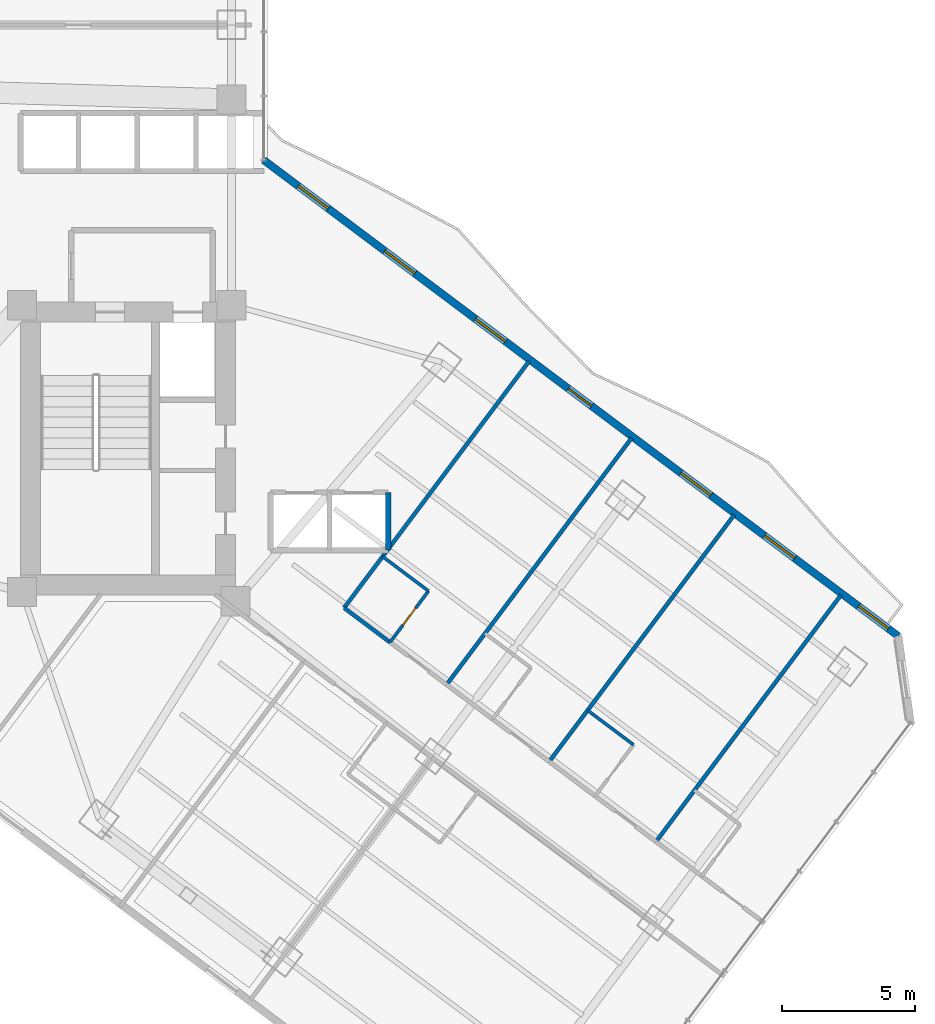
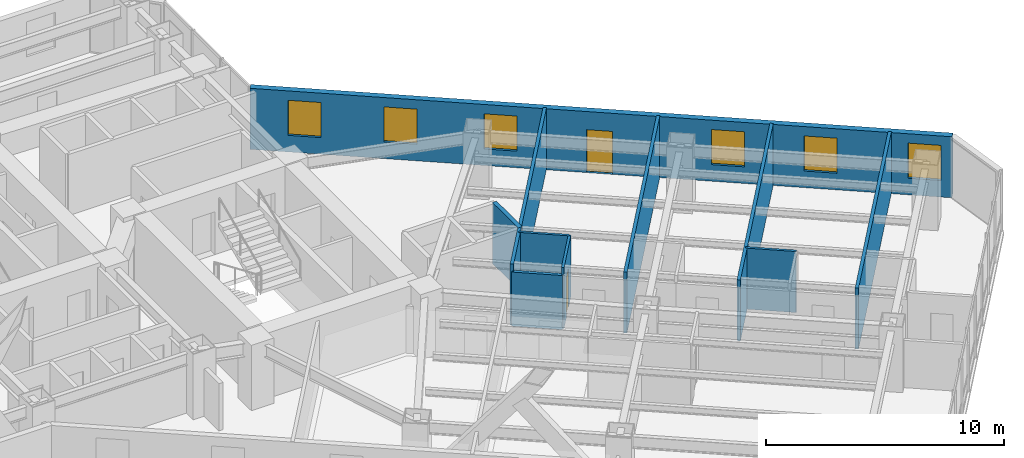
# One storey, part 25 of 33: 10 walls, 6 windows, 2 doors, 8 openings.
"""IFC4 building model written with IfcOpenShell, lengths in metres."""

import ifcopenshell
import ifcopenshell.guid

model = None  # the IFC model being written
_history = None  # IfcOwnerHistory: only IFC2X3 demands one
_inside = {}  # id of a spatial element -> (the spatial element, [elements in it])
_under = {}  # id of a project, library or spatial element -> (it, [spatial elements below it])
_declared = {}  # id of a project -> (the project, [libraries it declares])
_typed = {}  # id of a type object -> (the type object, [elements of that type])
_made_of = {}  # id of a material, layer set ... -> (it, [elements and type objects made of it])


def new_model(schema):
    """Start an empty IFC model of exactly this schema.

    Asked for "IFC4X3", IfcOpenShell would pick the latest addendum, in which some entities
    have other attributes; the version numbers below select the first issue.
    IFC2X3 requires an IfcOwnerHistory on every rooted entity: one is made here for all.
    """
    global model, _history
    if schema == "IFC4X3":
        model = ifcopenshell.file(schema_version=(4, 3, 0, 0))
    else:
        model = ifcopenshell.file(schema=schema)
    _inside.clear()
    _under.clear()
    _declared.clear()
    _typed.clear()
    _made_of.clear()
    _history = None
    if model.schema == "IFC2X3":
        org = make("IfcOrganization", Name="unknown")
        user = make(
            "IfcPersonAndOrganization",
            ThePerson=make("IfcPerson", FamilyName="unknown"),
            TheOrganization=org,
        )
        app = make(
            "IfcApplication",
            ApplicationDeveloper=org,
            Version="unknown",
            ApplicationFullName="unknown",
            ApplicationIdentifier="unknown",
        )
        _history = make(
            "IfcOwnerHistory",
            OwningUser=user,
            OwningApplication=app,
            ChangeAction="ADDED",
            CreationDate=0,
        )
    return model


def make(cls, **values):
    """One entity of the class cls with the attributes given. An attribute that is None is left unset."""
    return model.create_entity(
        cls, **{name: value for name, value in values.items() if value is not None}
    )


def rooted(cls, **values):
    """An entity with a GlobalId (a new one), such as an element, a storey or a relation."""
    return make(cls, GlobalId=ifcopenshell.guid.new(), OwnerHistory=_history, **values)


def si_unit(unit_type, name, prefix=None):
    """IfcSIUnit, for example si_unit("LENGTHUNIT", "METRE", prefix="MILLI")."""
    return make("IfcSIUnit", UnitType=unit_type, Prefix=prefix, Name=name)


def assignment(units):
    """IfcUnitAssignment: the units of a project."""
    return None if units is None else make("IfcUnitAssignment", Units=units)


def point(xyz):
    """IfcCartesianPoint."""
    return None if xyz is None else make("IfcCartesianPoint", Coordinates=xyz)


def direction(xyz):
    """IfcDirection."""
    return None if xyz is None else make("IfcDirection", DirectionRatios=xyz)


def frame(location, z_axis=None, x_axis=None):
    """IfcAxis2Placement3D, a coordinate frame: its origin and axes. An axis left out is left unset."""
    return make(
        "IfcAxis2Placement3D",
        Location=point(location),
        Axis=direction(z_axis),
        RefDirection=direction(x_axis),
    )


def frame_2d(location, x_axis=None):
    """IfcAxis2Placement2D, a coordinate frame in the plane: its origin and x axis."""
    return make(
        "IfcAxis2Placement2D", Location=point(location), RefDirection=direction(x_axis)
    )


def origin():
    """The frame at (0, 0, 0) with its axes left unset."""
    return frame((0.0, 0.0, 0.0))


def place(relative_to, where):
    """IfcLocalPlacement: puts the frame where relative to a parent placement (None: the world)."""
    return make(
        "IfcLocalPlacement", PlacementRelTo=relative_to, RelativePlacement=where
    )


def context(
    kind, dimensions, precision=None, world=None, true_north=None, identifier=None
):
    """IfcGeometricRepresentationContext, for example the 3D "Model" context."""
    return make(
        "IfcGeometricRepresentationContext",
        ContextIdentifier=identifier,
        ContextType=kind,
        CoordinateSpaceDimension=dimensions,
        Precision=precision,
        WorldCoordinateSystem=world,
        TrueNorth=true_north,
    )


def subcontext(parent, identifier, kind, view, scale=None):
    """IfcGeometricRepresentationSubContext, for example "Body" below "Model"."""
    return make(
        "IfcGeometricRepresentationSubContext",
        ContextIdentifier=identifier,
        ContextType=kind,
        ParentContext=parent,
        TargetScale=scale,
        TargetView=view,
    )


def project(units=None, contexts=None):
    """IfcProject with its units and contexts."""
    return rooted(
        "IfcProject",
        Name="project",
        RepresentationContexts=contexts,
        UnitsInContext=assignment(units),
    )


def spatial(cls, under=None, at=None, **own):
    """A site, building, storey or space (cls), placed at a placement, below another one or the project."""
    s = rooted(cls, ObjectPlacement=at, **own)
    if under is not None:
        _under.setdefault(under.id(), (under, []))[1].append(s)
    return s


def profile(cls, at=None, kind="AREA", **sizes):
    """A parametric profile (cls). Its sizes go by their IFC names, for example OverallWidth=200.0."""
    return make(cls, ProfileType=kind, Position=at, **sizes)


def rectangle(**sizes):
    """IfcRectangleProfileDef."""
    return profile("IfcRectangleProfileDef", **sizes)


def extrude(swept, where, along, depth):
    """IfcExtrudedAreaSolid: the profile swept, set in the frame where, extruded along a direction by depth."""
    return make(
        "IfcExtrudedAreaSolid",
        SweptArea=swept,
        Position=where,
        ExtrudedDirection=direction(along),
        Depth=depth,
    )


def shape(context_of_items, identifier, shape_type, items):
    """IfcShapeRepresentation: the items that make up one representation, for example the "Body"."""
    return make(
        "IfcShapeRepresentation",
        ContextOfItems=context_of_items,
        RepresentationIdentifier=identifier,
        RepresentationType=shape_type,
        Items=items,
    )


def material(Name=None, Category=None):
    """IfcMaterial."""
    return make("IfcMaterial", Name=Name, Category=Category)


def layer(
    of_material, thickness, ventilated=None, Name=None, Category=None, Priority=None
):
    """IfcMaterialLayer: one layer of a wall or slab, of a material (None: an air gap)."""
    return make(
        "IfcMaterialLayer",
        Material=of_material,
        LayerThickness=thickness,
        IsVentilated=ventilated,
        Name=Name,
        Category=Category,
        Priority=Priority,
    )


def layer_set(layers, Name=None):
    """IfcMaterialLayerSet."""
    return make("IfcMaterialLayerSet", MaterialLayers=layers, LayerSetName=Name)


def made_of(thing, what):
    """Note that an element or type object is made of a material, layer set ...; save() writes the relation."""
    if what is not None:
        _made_of.setdefault(what.id(), (what, []))[1].append(thing)
    return thing


def type_object(cls, material=None, **own):
    """A type object (cls), such as IfcWallType, which elements share."""
    return made_of(rooted(cls, **own), material)


def element(
    cls,
    number,
    at=None,
    inside=None,
    cuts=None,
    type_object=None,
    material=None,
    context=None,
    identifier="Body",
    shape_type=None,
    held_by="IfcProductDefinitionShape",
    body=None,
    shapes=None,
    **own,
):
    """One element of the class cls, such as IfcWall. Its Tag is "e" and its number.

    at: its placement. inside: the storey or other place that contains it. cuts: it is an
    opening in that element (IfcRelVoidsElement). A single representation is given by context,
    identifier, shape_type and body (its items); several are given by shapes. held_by: the class
    of the entity that holds the representations. save() writes the other relations.
    """
    e = rooted(cls, Tag="e%d" % number, ObjectPlacement=at, **own)
    if body is not None:
        shapes = [shape(context, identifier, shape_type, body)]
    if shapes is not None:
        e.Representation = make(held_by, Representations=shapes)
    if inside is not None:
        _inside.setdefault(inside.id(), (inside, []))[1].append(e)
    if cuts is not None:
        rooted(
            "IfcRelVoidsElement", RelatingBuildingElement=cuts, RelatedOpeningElement=e
        )
    if type_object is not None:
        _typed.setdefault(type_object.id(), (type_object, []))[1].append(e)
    return made_of(e, material)


def fill(opening, filler):
    """IfcRelFillsElement: the door or window that sits in an opening."""
    return rooted(
        "IfcRelFillsElement",
        RelatingOpeningElement=opening,
        RelatedBuildingElement=filler,
    )


def aggregate(whole, parts):
    """IfcRelAggregates: a whole, such as a stair, and the parts it consists of."""
    return rooted("IfcRelAggregates", RelatingObject=whole, RelatedObjects=parts)


def save(model, path):
    """Write the relations noted so far, then the file.

    IfcRelAggregates (storeys below a building ...), IfcRelContainedInSpatialStructure (elements
    in a storey), IfcRelDefinesByType, IfcRelAssociatesMaterial and IfcRelDeclares: one each for
    every whole, place, type object, material and project.
    """
    for whole, parts in _under.values():
        aggregate(whole, parts)
    for where, things in _inside.values():
        rooted(
            "IfcRelContainedInSpatialStructure",
            RelatedElements=things,
            RelatingStructure=where,
        )
    for kind, things in _typed.values():
        rooted("IfcRelDefinesByType", RelatedObjects=things, RelatingType=kind)
    for what, things in _made_of.values():
        rooted("IfcRelAssociatesMaterial", RelatedObjects=things, RelatingMaterial=what)
    for by, libraries in _declared.values():
        rooted("IfcRelDeclares", RelatingContext=by, RelatedDefinitions=libraries)
    model.write(path)


model = new_model("IFC4")

# Units and contexts
model_context = context("Model", 3, precision=1e-05, world=origin(), true_north=direction((0.0, 1.0)))
body_context = subcontext(model_context, "Body", "Model", "MODEL_VIEW")
ifc_project = project(units=[si_unit("LENGTHUNIT", "METRE"), si_unit("AREAUNIT", "SQUARE_METRE"), si_unit("VOLUMEUNIT", "CUBIC_METRE"), si_unit("PLANEANGLEUNIT", "RADIAN"), si_unit("MASSUNIT", "GRAM", prefix="KILO")], contexts=[model_context])

# Site, building, storey
site_placement = place(None, origin())
site = spatial("IfcSite", under=ifc_project, at=site_placement, CompositionType="ELEMENT")
building_placement = place(site_placement, origin())
building = spatial("IfcBuilding", under=site, at=building_placement, Name="Hatsunagi Terrace Concourse", CompositionType="ELEMENT")
storey_placement = place(building_placement, frame((0.0, 0.0, 43.300048828125)))
storey = spatial("IfcBuildingStorey", under=building, at=storey_placement, Name="L10", CompositionType="ELEMENT", Elevation=43.300048828125)

# Wall, opening, door
ifc_material_1 = material(Name="Acoustic mineral board", Category="gypsum")
ifc_layer_1 = layer(ifc_material_1, 0.1201171875)
ifc_layer_set_1 = layer_set([ifc_layer_1], Name="PartitionWall_EI30_120")
wall_type_1 = type_object("IfcWallType", Name="PartitionWall_EI30_120", PredefinedType="PARTITIONING", material=ifc_layer_set_1)
wall_1_placement = place(storey_placement, frame((49.590087890625, 22.669921875, 0.0), z_axis=(0.0, 0.0, 1.0), x_axis=(0.599951172744, 0.800036618114, 0.0)))
wall_1 = element("IfcWall", 1, at=wall_1_placement, inside=storey, type_object=wall_type_1, Name="Interior Partition IW-L10-074", PredefinedType="PARTITIONING", context=body_context, shape_type="SweptSolid", body=[
    extrude(rectangle(XDim=2.400146484375, YDim=0.1201171875, at=frame_2d((1.2001953125, 0.0))), origin(), (0.0, 0.0, 1.0), 3.1298828125),
])
opening_1_placement = place(wall_1_placement, frame((0.800048828125, 0.0, 0.0)))
opening_1 = element("IfcOpeningElement", 2, at=opening_1_placement, cuts=wall_1, Name="Opening DR-080", PredefinedType="OPENING", context=body_context, shape_type="SweptSolid", body=[
    extrude(rectangle(XDim=0.800048828125, YDim=2.06005859375, at=frame_2d((0.39990234375, 1.030029296875))), frame((0.0, 0.070068359375, 0.0), z_axis=(0.0, -1.0, 0.0), x_axis=(1.0, 0.0, 0.0)), (0.0, 0.0, 1.0), 0.14013671875),
])
ifc_material_2 = material(Name="Hardwood timber", Category="wood")
door_type_1 = type_object("IfcDoorType", Name="BathroomDoor_800", OperationType="NOTDEFINED", PredefinedType="DOOR", material=ifc_material_2)
door_1_placement = place(opening_1_placement, origin())
door_1 = element("IfcDoor", 3, at=door_1_placement, inside=storey, type_object=door_type_1, Name="En-Suite Bathroom L10-SENE1 Door", OperationType="SINGLE_SWING_LEFT", OverallHeight=2.06005859375, OverallWidth=0.800048828125, PredefinedType="DOOR", context=body_context, shape_type="SweptSolid", body=[
    extrude(rectangle(XDim=0.800048828125, YDim=2.06005859375, at=frame_2d((0.39990234375, 1.030029296875))), frame((0.0, 0.02490234375, 0.0), z_axis=(0.0, -1.0, 0.0), x_axis=(1.0, 0.0, 0.0)), (0.0, 0.0, 1.0), 0.050048828125),
])
fill(opening_1, door_1)

# Walls
for number, where, z_axis, x_axis, name in (
    (4, (49.31005859375, 25.8798828125, 0.0), (0.0, 0.0, 1.0), (0.800040880289, -0.59994548908, 0.0), "Interior Partition IW-L10-075"),
    (5, (56.989990234375, 20.1201171875, 0.0), (0.0, 0.0, 1.0), (0.79998637334, -0.60001816845, 0.0), "Interior Partition IW-L10-086"),
):
    element("IfcWall", number, at=place(storey_placement, frame(where, z_axis=z_axis, x_axis=x_axis)), inside=storey, type_object=wall_type_1, Name=name, PredefinedType="PARTITIONING", context=body_context, shape_type="SweptSolid", body=[
        extrude(rectangle(XDim=2.14990234375, YDim=0.1201171875, at=frame_2d((1.074951171875, 0.0))), origin(), (0.0, 0.0, 1.0), 3.1298828125),
    ])
ifc_material_3 = material(Name="Acoustic mineral board", Category="gypsum")
ifc_layer_2 = layer(ifc_material_3, 0.14990234375)
ifc_layer_set_2 = layer_set([ifc_layer_2], Name="PartitionWall_EI60_150")
wall_type_2 = type_object("IfcWallType", Name="PartitionWall_EI60_150", PredefinedType="PARTITIONING", material=ifc_layer_set_2)
wall_2_placement = place(storey_placement, frame((47.8701171875, 23.9599609375, 0.0), z_axis=(0.0, 0.0, 1.0), x_axis=(0.79998637334, -0.60001816845, 0.0)))
element("IfcWall", 6, at=wall_2_placement, inside=storey, type_object=wall_type_2, Name="Interior Partition IW-L10-072", PredefinedType="PARTITIONING", context=body_context, shape_type="SweptSolid", body=[
    extrude(rectangle(XDim=2.14990234375, YDim=0.14990234375, at=frame_2d((1.074951171875, 0.0))), origin(), (0.0, 0.0, 1.0), 2.77490234375),
])
for number, where, z_axis, x_axis, name in (
    (7, (47.8701171875, 23.9599609375, 0.0), (0.0, 0.0, 1.0), (0.599996617946, 0.80000253653, 0.0), "Interior Partition IW-L10-076"),
    (8, (51.7099609375, 21.080078125, 0.0), (0.0, 0.0, 1.0), (0.599996617946, 0.80000253653, 0.0), "Interior Partition IW-L10-077"),
    (9, (55.550048828125, 18.199951171875, 0.0), (0.0, 0.0, 1.0), (0.599996617946, 0.80000253653, 0.0), "Interior Partition IW-L10-082"),
    (10, (59.550048828125, 15.199951171875, 0.0), (0.0, 0.0, 1.0), (0.599996617946, 0.80000253653, 0.0), "Interior Partition IW-L10-087"),
):
    element("IfcWall", number, at=place(storey_placement, frame(where, z_axis=z_axis, x_axis=x_axis)), inside=storey, type_object=wall_type_2, Name=name, PredefinedType="PARTITIONING", context=body_context, shape_type="SweptSolid", body=[
        extrude(rectangle(XDim=11.550048828125, YDim=0.14990234375, at=frame_2d((5.77490234375, 0.0))), origin(), (0.0, 0.0, 1.0), 3.1298828125),
    ])
ifc_material_4 = material(Name="Acoustic mineral board", Category="gypsum")
ifc_layer_3 = layer(ifc_material_4, 0.199951171875)
ifc_layer_set_3 = layer_set([ifc_layer_3], Name="ShaftWall_EI120_200")
wall_type_3 = type_object("IfcWallType", Name="ShaftWall_EI120_200", PredefinedType="STANDARD", material=ifc_layer_set_3)
wall_3_placement = place(storey_placement, frame((49.52001953125, 26.1201171875, 0.0), z_axis=(0.0, 0.0, 1.0), x_axis=(0.0, 1.0, 0.0)))
element("IfcWall", 11, at=wall_3_placement, inside=storey, type_object=wall_type_3, Name="Interior Partition IW-L10-027", PredefinedType="STANDARD", context=body_context, shape_type="SweptSolid", body=[
    extrude(rectangle(XDim=2.159912109375, YDim=0.199951171875, at=frame_2d((1.080078125, 0.0))), origin(), (0.0, 0.0, 1.0), 3.1298828125),
])

# Wall, openings, door, windows
ifc_material_5 = material(Name="Autoclaved Lightweight Concrete and Terracotta Cladding", Category="masonry")
ifc_layer_4 = layer(ifc_material_5, 0.280029296875)
ifc_layer_set_4 = layer_set([ifc_layer_4], Name="TerracottaSpandrelWall_280")
wall_type_4 = type_object("IfcWallType", Name="TerracottaSpandrelWall_280", PredefinedType="STANDARD", material=ifc_layer_set_4)
wall_4_placement = place(storey_placement, frame((44.860107421875, 40.72998046875, 0.0), z_axis=(0.0, 0.0, 1.0), x_axis=(0.800006902154, -0.599990797017, 0.0)))
wall_4 = element("IfcWall", 12, at=wall_4_placement, inside=storey, type_object=wall_type_4, Name="Exterior Spandrel Wall EW-L10-01", PredefinedType="STANDARD", context=body_context, shape_type="SweptSolid", body=[
    extrude(rectangle(XDim=29.7119140625, YDim=0.280029296875, at=frame_2d((14.85595703125, 0.0))), origin(), (0.0, 0.0, 1.0), 3.1298828125),
])
opening_2_placement = place(wall_4_placement, frame((14.2490234375, 0.0, 0.0)))
opening_2 = element("IfcOpeningElement", 13, at=opening_2_placement, cuts=wall_4, Name="Opening BD-01", PredefinedType="OPENING", context=body_context, shape_type="SweptSolid", body=[
    extrude(rectangle(XDim=1.10009765625, YDim=2.199951171875, at=frame_2d((0.550048828125, 1.10009765625))), frame((0.0, 0.14990234375, 0.0), z_axis=(0.0, -1.0, 0.0), x_axis=(1.0, 0.0, 0.0)), (0.0, 0.0, 1.0), 0.300048828125),
])
opening_3_placement = place(wall_4_placement, frame((1.612060546875, 0.0, 0.85009765625)))
opening_3 = element("IfcOpeningElement", 14, at=opening_3_placement, cuts=wall_4, Name="Opening WIN-02", PredefinedType="OPENING", context=body_context, shape_type="SweptSolid", body=[
    extrude(rectangle(XDim=1.39990234375, YDim=1.800048828125, at=frame_2d((0.699951171875, 0.89990234375))), frame((0.0, 0.14990234375, 0.0), z_axis=(0.0, -1.0, 0.0), x_axis=(1.0, 0.0, 0.0)), (0.0, 0.0, 1.0), 0.300048828125),
])
opening_4_placement = place(wall_4_placement, frame((5.6669921875, 0.0, 0.85009765625)))
opening_4 = element("IfcOpeningElement", 15, at=opening_4_placement, cuts=wall_4, Name="Opening WIN-02", PredefinedType="OPENING", context=body_context, shape_type="SweptSolid", body=[
    extrude(rectangle(XDim=1.39990234375, YDim=1.800048828125, at=frame_2d((0.699951171875, 0.89990234375))), frame((0.0, 0.14990234375, 0.0), z_axis=(0.0, -1.0, 0.0), x_axis=(1.0, 0.0, 0.0)), (0.0, 0.0, 1.0), 0.300048828125),
])
opening_5_placement = place(wall_4_placement, frame((9.912109375, 0.0, 0.85009765625)))
opening_5 = element("IfcOpeningElement", 16, at=opening_5_placement, cuts=wall_4, Name="Opening WIN-02", PredefinedType="OPENING", context=body_context, shape_type="SweptSolid", body=[
    extrude(rectangle(XDim=1.39990234375, YDim=1.800048828125, at=frame_2d((0.699951171875, 0.89990234375))), frame((0.0, 0.14990234375, 0.0), z_axis=(0.0, -1.0, 0.0), x_axis=(1.0, 0.0, 0.0)), (0.0, 0.0, 1.0), 0.300048828125),
])
opening_6_placement = place(wall_4_placement, frame((19.528076171875, 0.0, 0.85009765625)))
opening_6 = element("IfcOpeningElement", 17, at=opening_6_placement, cuts=wall_4, Name="Opening WIN-02", PredefinedType="OPENING", context=body_context, shape_type="SweptSolid", body=[
    extrude(rectangle(XDim=1.39990234375, YDim=1.800048828125, at=frame_2d((0.699951171875, 0.89990234375))), frame((0.0, 0.14990234375, 0.0), z_axis=(0.0, -1.0, 0.0), x_axis=(1.0, 0.0, 0.0)), (0.0, 0.0, 1.0), 0.300048828125),
])
opening_7_placement = place(wall_4_placement, frame((23.450927734375, 0.0, 0.85009765625)))
opening_7 = element("IfcOpeningElement", 18, at=opening_7_placement, cuts=wall_4, Name="Opening WIN-02", PredefinedType="OPENING", context=body_context, shape_type="SweptSolid", body=[
    extrude(rectangle(XDim=1.39990234375, YDim=1.800048828125, at=frame_2d((0.699951171875, 0.89990234375))), frame((0.0, 0.14990234375, 0.0), z_axis=(0.0, -1.0, 0.0), x_axis=(1.0, 0.0, 0.0)), (0.0, 0.0, 1.0), 0.300048828125),
])
opening_8_placement = place(wall_4_placement, frame((27.85205078125, 0.0, 0.85009765625)))
opening_8 = element("IfcOpeningElement", 19, at=opening_8_placement, cuts=wall_4, Name="Opening WIN-02", PredefinedType="OPENING", context=body_context, shape_type="SweptSolid", body=[
    extrude(rectangle(XDim=1.39990234375, YDim=1.800048828125, at=frame_2d((0.699951171875, 0.89990234375))), frame((0.0, 0.14990234375, 0.0), z_axis=(0.0, -1.0, 0.0), x_axis=(1.0, 0.0, 0.0)), (0.0, 0.0, 1.0), 0.300048828125),
])
ifc_material_6 = material(Name="Galvanised Steel and Laminated Safety Glass", Category="steel")
door_type_2 = type_object("IfcDoorType", Name="BalconyTerraceAccessDoor_1100x2200", OperationType="SINGLE_SWING_LEFT", PredefinedType="DOOR", material=ifc_material_6)
door_2_placement = place(opening_2_placement, origin())
door_2 = element("IfcDoor", 20, at=door_2_placement, inside=storey, type_object=door_type_2, Name="Engawa Balcony Door L10-BSE", OperationType="SINGLE_SWING_LEFT", OverallHeight=2.199951171875, OverallWidth=1.10009765625, PredefinedType="DOOR", context=body_context, shape_type="SweptSolid", body=[
    extrude(rectangle(XDim=1.10009765625, YDim=2.199951171875, at=frame_2d((0.550048828125, 1.10009765625))), frame((0.0, 0.02490234375, 0.0), z_axis=(0.0, -1.0, 0.0), x_axis=(1.0, 0.0, 0.0)), (0.0, 0.0, 1.0), 0.050048828125),
])
fill(opening_2, door_2)
ifc_material_7 = material(Name="Thermally Broken Aluminium and Low-E Triple Glazing", Category="aluminium")
window_type = type_object("IfcWindowType", Name="HotelOperableVentWindow_1400x1800", PartitioningType="DOUBLE_PANEL_VERTICAL", PredefinedType="WINDOW", material=ifc_material_7)
window_1_placement = place(opening_3_placement, origin())
window_1 = element("IfcWindow", 21, at=window_1_placement, inside=storey, type_object=window_type, Name="Balcony Daylighting Window L10-01-1", OverallHeight=1.800048828125, OverallWidth=1.39990234375, PartitioningType="SINGLE_PANEL", PredefinedType="WINDOW", context=body_context, shape_type="SweptSolid", body=[
    extrude(rectangle(XDim=1.39990234375, YDim=1.800048828125, at=frame_2d((0.699951171875, 0.89990234375))), frame((0.0, 0.030029296875, 0.0), z_axis=(0.0, -1.0, 0.0), x_axis=(1.0, 0.0, 0.0)), (0.0, 0.0, 1.0), 0.06005859375),
])
fill(opening_3, window_1)
window_2_placement = place(opening_4_placement, origin())
window_2 = element("IfcWindow", 22, at=window_2_placement, inside=storey, type_object=window_type, Name="Balcony Daylighting Window L10-01-2", OverallHeight=1.800048828125, OverallWidth=1.39990234375, PartitioningType="SINGLE_PANEL", PredefinedType="WINDOW", context=body_context, shape_type="SweptSolid", body=[
    extrude(rectangle(XDim=1.39990234375, YDim=1.800048828125, at=frame_2d((0.699951171875, 0.89990234375))), frame((0.0, 0.030029296875, 0.0), z_axis=(0.0, -1.0, 0.0), x_axis=(1.0, 0.0, 0.0)), (0.0, 0.0, 1.0), 0.06005859375),
])
fill(opening_4, window_2)
window_3_placement = place(opening_5_placement, origin())
window_3 = element("IfcWindow", 23, at=window_3_placement, inside=storey, type_object=window_type, Name="Balcony Daylighting Window L10-01-3", OverallHeight=1.800048828125, OverallWidth=1.39990234375, PartitioningType="SINGLE_PANEL", PredefinedType="WINDOW", context=body_context, shape_type="SweptSolid", body=[
    extrude(rectangle(XDim=1.39990234375, YDim=1.800048828125, at=frame_2d((0.699951171875, 0.89990234375))), frame((0.0, 0.030029296875, 0.0), z_axis=(0.0, -1.0, 0.0), x_axis=(1.0, 0.0, 0.0)), (0.0, 0.0, 1.0), 0.06005859375),
])
fill(opening_5, window_3)
window_4_placement = place(opening_6_placement, origin())
window_4 = element("IfcWindow", 24, at=window_4_placement, inside=storey, type_object=window_type, Name="Balcony Daylighting Window L10-01-5", OverallHeight=1.800048828125, OverallWidth=1.39990234375, PartitioningType="SINGLE_PANEL", PredefinedType="WINDOW", context=body_context, shape_type="SweptSolid", body=[
    extrude(rectangle(XDim=1.39990234375, YDim=1.800048828125, at=frame_2d((0.699951171875, 0.89990234375))), frame((0.0, 0.030029296875, 0.0), z_axis=(0.0, -1.0, 0.0), x_axis=(1.0, 0.0, 0.0)), (0.0, 0.0, 1.0), 0.06005859375),
])
fill(opening_6, window_4)
window_5_placement = place(opening_7_placement, origin())
window_5 = element("IfcWindow", 25, at=window_5_placement, inside=storey, type_object=window_type, Name="Balcony Daylighting Window L10-01-6", OverallHeight=1.800048828125, OverallWidth=1.39990234375, PartitioningType="SINGLE_PANEL", PredefinedType="WINDOW", context=body_context, shape_type="SweptSolid", body=[
    extrude(rectangle(XDim=1.39990234375, YDim=1.800048828125, at=frame_2d((0.699951171875, 0.89990234375))), frame((0.0, 0.030029296875, 0.0), z_axis=(0.0, -1.0, 0.0), x_axis=(1.0, 0.0, 0.0)), (0.0, 0.0, 1.0), 0.06005859375),
])
fill(opening_7, window_5)
window_6_placement = place(opening_8_placement, origin())
window_6 = element("IfcWindow", 26, at=window_6_placement, inside=storey, type_object=window_type, Name="Balcony Daylighting Window L10-01-7", OverallHeight=1.800048828125, OverallWidth=1.39990234375, PartitioningType="SINGLE_PANEL", PredefinedType="WINDOW", context=body_context, shape_type="SweptSolid", body=[
    extrude(rectangle(XDim=1.39990234375, YDim=1.800048828125, at=frame_2d((0.699951171875, 0.89990234375))), frame((0.0, 0.030029296875, 0.0), z_axis=(0.0, -1.0, 0.0), x_axis=(1.0, 0.0, 0.0)), (0.0, 0.0, 1.0), 0.06005859375),
])
fill(opening_8, window_6)

save(model, "model.ifc")
